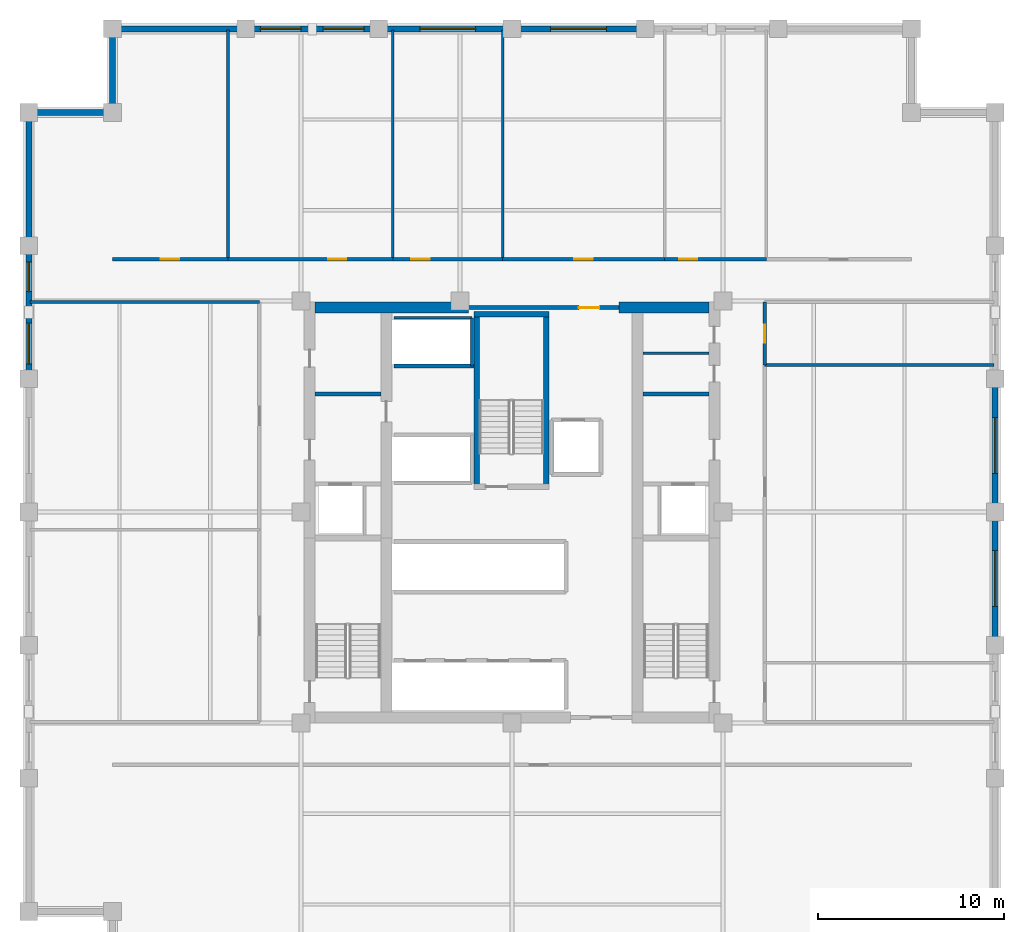
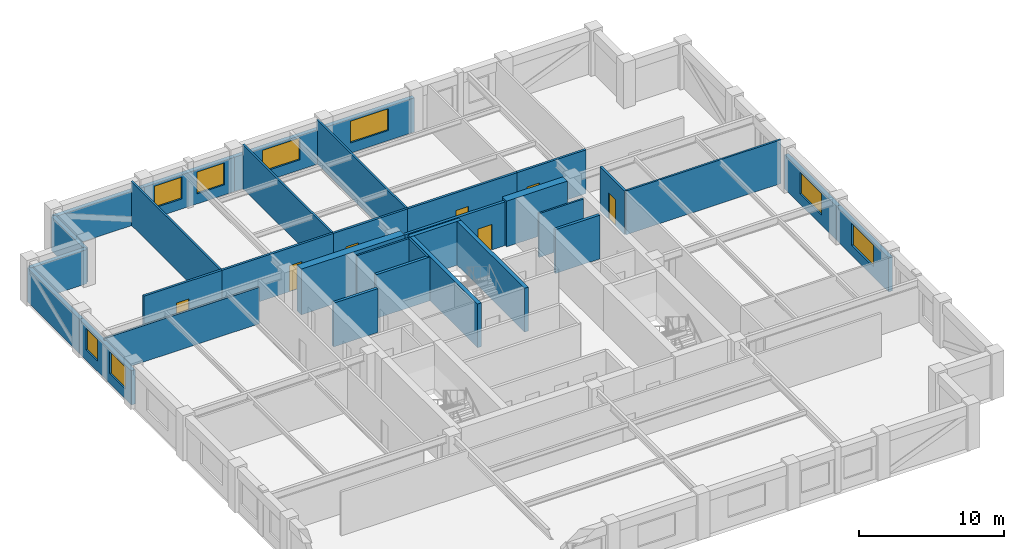
# One storey, part 4 of 6: 33 walls, 8 windows, 7 doors, 15 openings.
"""IFC4 building model written with IfcOpenShell, lengths in metres."""

from ifc_helpers import new_model, si_unit, direction, frame, frame_2d, origin, place, context, subcontext, project, spatial, rectangle, extrude, material, layer, layer_set, type_object, element, fill, save


model = new_model("IFC4")

# Units and contexts
model_context = context("Model", 3, precision=1e-05, world=origin(), true_north=direction((0.0, 1.0)))
body_context = subcontext(model_context, "Body", "Model", "MODEL_VIEW")
ifc_project = project(units=[si_unit("LENGTHUNIT", "METRE"), si_unit("AREAUNIT", "SQUARE_METRE"), si_unit("VOLUMEUNIT", "CUBIC_METRE"), si_unit("PLANEANGLEUNIT", "RADIAN"), si_unit("MASSUNIT", "GRAM", prefix="KILO")], contexts=[model_context])

# Site, building, storey
site_placement = place(None, origin())
site = spatial("IfcSite", under=ifc_project, at=site_placement, CompositionType="ELEMENT")
building_placement = place(site_placement, origin())
building = spatial("IfcBuilding", under=site, at=building_placement, Name="Nhamokura Convention Tower", CompositionType="ELEMENT")
storey_placement = place(building_placement, frame((0.0, 0.0, 114.449951171875)))
storey = spatial("IfcBuildingStorey", under=building, at=storey_placement, Name="L27", CompositionType="ELEMENT", Elevation=114.449951171875)

# Walls
ifc_material_1 = material(Name="Moisture-resistant tile-backer partition", Category="masonry")
ifc_layer_1 = layer(ifc_material_1, 0.139892578125)
ifc_layer_set_1 = layer_set([ifc_layer_1], Name="BathroomWetWall_140")
wall_type_1 = type_object("IfcWallType", Name="BathroomWetWall_140", PredefinedType="STANDARD", material=ifc_layer_set_1)
wall_1_placement = place(storey_placement, frame((39.06005859375, 40.550048828125, 0.0), z_axis=(0.0, 0.0, 1.0), x_axis=(1.0, 0.0, 0.0)))
element("IfcWall", 1, at=wall_1_placement, inside=storey, type_object=wall_type_1, Name="L27 Wall INT-L27-CWNE", PredefinedType="STANDARD", context=body_context, shape_type="SweptSolid", body=[
    extrude(rectangle(XDim=3.530029296875, YDim=0.139892578125, at=frame_2d((1.76513671875, 0.0))), origin(), (0.0, 0.0, 1.0), 3.68505859375),
])
ifc_material_2 = material(Name="Bronze-pigmented precast concrete C45/55", Category="concrete")
ifc_layer_2 = layer(ifc_material_2, 0.320068359375)
ifc_layer_set_2 = layer_set([ifc_layer_2], Name="BronzePrecastSpandrel_320")
wall_type_2 = type_object("IfcWallType", Name="BronzePrecastSpandrel_320", PredefinedType="USERDEFINED", material=ifc_layer_set_2)
wall_2_placement = place(storey_placement, frame((10.5, 58.0, 0.0), z_axis=(0.0, 0.0, 1.0), x_axis=(1.0, 0.0, 0.0)))
element("IfcWall", 2, at=wall_2_placement, inside=storey, type_object=wall_type_2, Name="L27 Braced-Bay Precast Wall NORTH 0", ObjectType="SPANDREL_WALL", PredefinedType="USERDEFINED", context=body_context, shape_type="SweptSolid", body=[
    extrude(rectangle(XDim=7.166748046875, YDim=0.320068359375, at=frame_2d((3.58349609375, 0.0))), origin(), (0.0, 0.0, 1.0), 2.885009765625),
])

# Wall, openings, windows
wall_3_placement = place(storey_placement, frame((17.666748046875, 58.0, 0.0), z_axis=(0.0, 0.0, 1.0), x_axis=(1.0, 0.0, 0.0)))
wall_3 = element("IfcWall", 3, at=wall_3_placement, inside=storey, type_object=wall_type_2, Name="L27 Masonry-Frame Wall NORTH 1", ObjectType="SPANDREL_WALL", PredefinedType="USERDEFINED", context=body_context, shape_type="SweptSolid", body=[
    extrude(rectangle(XDim=7.16650390625, YDim=0.320068359375, at=frame_2d((3.583251953125, 0.0))), origin(), (0.0, 0.0, 1.0), 2.885009765625),
])
opening_1_placement = place(wall_3_placement, frame((0.791748046875, 0.0, 0.85009765625)))
opening_1 = element("IfcOpeningElement", 4, at=opening_1_placement, cuts=wall_3, Name="Opening W-06", PredefinedType="OPENING", context=body_context, shape_type="SweptSolid", body=[
    extrude(rectangle(XDim=2.199951171875, YDim=1.8349609375, at=frame_2d((1.10009765625, 0.91748046875))), frame((0.0, 0.169921875, 0.0), z_axis=(0.0, -1.0, 0.0), x_axis=(1.0, 0.0, 0.0)), (0.0, 0.0, 1.0), 0.340087890625),
])
opening_2_placement = place(wall_3_placement, frame((4.175048828125, 0.0, 0.85009765625)))
opening_2 = element("IfcOpeningElement", 5, at=opening_2_placement, cuts=wall_3, Name="Opening W-06", PredefinedType="OPENING", context=body_context, shape_type="SweptSolid", body=[
    extrude(rectangle(XDim=2.199951171875, YDim=1.8349609375, at=frame_2d((1.10009765625, 0.91748046875))), frame((0.0, 0.169921875, 0.0), z_axis=(0.0, -1.0, 0.0), x_axis=(1.0, 0.0, 0.0)), (0.0, 0.0, 1.0), 0.340087890625),
])
ifc_material_3 = material(Name="Solar-control bronze low-E double glass", Category="glass")
window_type_1 = type_object("IfcWindowType", Name="OfficeModuleWindow_Z2_2200", PartitioningType="SINGLE_PANEL", PredefinedType="WINDOW", material=ifc_material_3)
window_1_placement = place(opening_1_placement, origin())
window_1 = element("IfcWindow", 6, at=window_1_placement, inside=storey, type_object=window_type_1, Name="L27 Facade Window NORTH 1-1", OverallHeight=1.8349609375, OverallWidth=2.199951171875, PartitioningType="SINGLE_PANEL", PredefinedType="WINDOW", context=body_context, shape_type="SweptSolid", body=[
    extrude(rectangle(XDim=2.199951171875, YDim=1.8349609375, at=frame_2d((1.10009765625, 0.91748046875))), frame((0.0, 0.030029296875, 0.0), z_axis=(0.0, -1.0, 0.0), x_axis=(1.0, 0.0, 0.0)), (0.0, 0.0, 1.0), 0.06005859375),
])
fill(opening_1, window_1)
window_2_placement = place(opening_2_placement, origin())
window_2 = element("IfcWindow", 7, at=window_2_placement, inside=storey, type_object=window_type_1, Name="L27 Facade Window NORTH 1-2", OverallHeight=1.8349609375, OverallWidth=2.199951171875, PartitioningType="SINGLE_PANEL", PredefinedType="WINDOW", context=body_context, shape_type="SweptSolid", body=[
    extrude(rectangle(XDim=2.199951171875, YDim=1.8349609375, at=frame_2d((1.10009765625, 0.91748046875))), frame((0.0, 0.030029296875, 0.0), z_axis=(0.0, -1.0, 0.0), x_axis=(1.0, 0.0, 0.0)), (0.0, 0.0, 1.0), 0.06005859375),
])
fill(opening_2, window_2)

# Wall, opening, window
wall_4_placement = place(storey_placement, frame((24.833251953125, 58.0, 0.0), z_axis=(0.0, 0.0, 1.0), x_axis=(1.0, 0.0, 0.0)))
wall_4 = element("IfcWall", 8, at=wall_4_placement, inside=storey, type_object=wall_type_2, Name="L27 Masonry-Frame Wall NORTH 2", ObjectType="SPANDREL_WALL", PredefinedType="USERDEFINED", context=body_context, shape_type="SweptSolid", body=[
    extrude(rectangle(XDim=7.166748046875, YDim=0.320068359375, at=frame_2d((3.58349609375, 0.0))), origin(), (0.0, 0.0, 1.0), 2.885009765625),
])
opening_3_placement = place(wall_4_placement, frame((2.208251953125, 0.0, 0.85009765625)))
opening_3 = element("IfcOpeningElement", 9, at=opening_3_placement, cuts=wall_4, Name="Opening W-05", PredefinedType="OPENING", context=body_context, shape_type="SweptSolid", body=[
    extrude(rectangle(XDim=3.0, YDim=1.8349609375, at=frame_2d((1.5, 0.91748046875))), frame((0.0, 0.169921875, 0.0), z_axis=(0.0, -1.0, 0.0), x_axis=(1.0, 0.0, 0.0)), (0.0, 0.0, 1.0), 0.340087890625),
])
ifc_material_4 = material(Name="Solar-control bronze low-E double glass", Category="glass")
window_type_2 = type_object("IfcWindowType", Name="OfficeModuleWindow_Z2_3000", PartitioningType="DOUBLE_PANEL_VERTICAL", PredefinedType="WINDOW", material=ifc_material_4)
window_3_placement = place(opening_3_placement, origin())
window_3 = element("IfcWindow", 10, at=window_3_placement, inside=storey, type_object=window_type_2, Name="L27 Facade Window NORTH 2", OverallHeight=1.8349609375, OverallWidth=3.0, PartitioningType="SINGLE_PANEL", PredefinedType="WINDOW", context=body_context, shape_type="SweptSolid", body=[
    extrude(rectangle(XDim=3.0, YDim=1.8349609375, at=frame_2d((1.5, 0.91748046875))), frame((0.0, 0.030029296875, 0.0), z_axis=(0.0, -1.0, 0.0), x_axis=(1.0, 0.0, 0.0)), (0.0, 0.0, 1.0), 0.06005859375),
])
fill(opening_3, window_3)

wall_5_placement = place(storey_placement, frame((32.0, 58.0, 0.0), z_axis=(0.0, 0.0, 1.0), x_axis=(1.0, 0.0, 0.0)))
wall_5 = element("IfcWall", 11, at=wall_5_placement, inside=storey, type_object=wall_type_2, Name="L27 Masonry-Frame Wall NORTH 3", ObjectType="SPANDREL_WALL", PredefinedType="USERDEFINED", context=body_context, shape_type="SweptSolid", body=[
    extrude(rectangle(XDim=7.166748046875, YDim=0.320068359375, at=frame_2d((3.58349609375, 0.0))), origin(), (0.0, 0.0, 1.0), 2.885009765625),
])
opening_4_placement = place(wall_5_placement, frame((2.083251953125, 0.0, 0.85009765625)))
opening_4 = element("IfcOpeningElement", 12, at=opening_4_placement, cuts=wall_5, Name="Opening W-05", PredefinedType="OPENING", context=body_context, shape_type="SweptSolid", body=[
    extrude(rectangle(XDim=3.0, YDim=1.8349609375, at=frame_2d((1.5, 0.91748046875))), frame((0.0, 0.169921875, 0.0), z_axis=(0.0, -1.0, 0.0), x_axis=(1.0, 0.0, 0.0)), (0.0, 0.0, 1.0), 0.340087890625),
])
window_4_placement = place(opening_4_placement, origin())
window_4 = element("IfcWindow", 13, at=window_4_placement, inside=storey, type_object=window_type_2, Name="L27 Facade Window NORTH 3", OverallHeight=1.8349609375, OverallWidth=3.0, PartitioningType="SINGLE_PANEL", PredefinedType="WINDOW", context=body_context, shape_type="SweptSolid", body=[
    extrude(rectangle(XDim=3.0, YDim=1.8349609375, at=frame_2d((1.5, 0.91748046875))), frame((0.0, 0.030029296875, 0.0), z_axis=(0.0, -1.0, 0.0), x_axis=(1.0, 0.0, 0.0)), (0.0, 0.0, 1.0), 0.06005859375),
])
fill(opening_4, window_4)

# Wall, openings, windows
wall_6_placement = place(storey_placement, frame((6.0, 39.166748046875, 0.0), z_axis=(0.0, 0.0, 1.0), x_axis=(0.0, 1.0, 0.0)))
wall_6 = element("IfcWall", 14, at=wall_6_placement, inside=storey, type_object=wall_type_2, Name="L27 Masonry-Frame Wall WEST 4", ObjectType="SPANDREL_WALL", PredefinedType="USERDEFINED", context=body_context, shape_type="SweptSolid", body=[
    extrude(rectangle(XDim=7.16650390625, YDim=0.320068359375, at=frame_2d((3.583251953125, 0.0))), origin(), (0.0, 0.0, 1.0), 2.885009765625),
])
opening_5_placement = place(wall_6_placement, frame((0.791748046875, 0.0, 0.85009765625)))
opening_5 = element("IfcOpeningElement", 15, at=opening_5_placement, cuts=wall_6, Name="Opening W-06", PredefinedType="OPENING", context=body_context, shape_type="SweptSolid", body=[
    extrude(rectangle(XDim=2.199951171875, YDim=1.8349609375, at=frame_2d((1.10009765625, 0.91748046875))), frame((0.0, 0.169921875, 0.0), z_axis=(0.0, -1.0, 0.0), x_axis=(1.0, 0.0, 0.0)), (0.0, 0.0, 1.0), 0.340087890625),
])
opening_6_placement = place(wall_6_placement, frame((4.6875, 0.0, 0.85009765625)))
opening_6 = element("IfcOpeningElement", 16, at=opening_6_placement, cuts=wall_6, Name="Opening W-11", PredefinedType="OPENING", context=body_context, shape_type="SweptSolid", body=[
    extrude(rectangle(XDim=1.60009765625, YDim=1.8349609375, at=frame_2d((0.800048828125, 0.91748046875))), frame((0.0, 0.169921875, 0.0), z_axis=(0.0, -1.0, 0.0), x_axis=(1.0, 0.0, 0.0)), (0.0, 0.0, 1.0), 0.340087890625),
])
ifc_material_5 = material(Name="Solar-control bronze low-E double glass", Category="glass")
window_type_3 = type_object("IfcWindowType", Name="NotchCornerWindow_1600", PartitioningType="SINGLE_PANEL", PredefinedType="WINDOW", material=ifc_material_5)
window_5_placement = place(opening_6_placement, origin())
window_5 = element("IfcWindow", 17, at=window_5_placement, inside=storey, type_object=window_type_3, Name="L27 Facade Window WEST 4-2", OverallHeight=1.8349609375, OverallWidth=1.60009765625, PartitioningType="SINGLE_PANEL", PredefinedType="WINDOW", context=body_context, shape_type="SweptSolid", body=[
    extrude(rectangle(XDim=1.60009765625, YDim=1.8349609375, at=frame_2d((0.800048828125, 0.91748046875))), frame((0.0, 0.030029296875, 0.0), z_axis=(0.0, -1.0, 0.0), x_axis=(1.0, 0.0, 0.0)), (0.0, 0.0, 1.0), 0.06005859375),
])
fill(opening_6, window_5)
window_6_placement = place(opening_5_placement, origin())
window_6 = element("IfcWindow", 18, at=window_6_placement, inside=storey, type_object=window_type_1, Name="L27 Facade Window WEST 4-1", OverallHeight=1.8349609375, OverallWidth=2.199951171875, PartitioningType="SINGLE_PANEL", PredefinedType="WINDOW", context=body_context, shape_type="SweptSolid", body=[
    extrude(rectangle(XDim=2.199951171875, YDim=1.8349609375, at=frame_2d((1.10009765625, 0.91748046875))), frame((0.0, 0.030029296875, 0.0), z_axis=(0.0, -1.0, 0.0), x_axis=(1.0, 0.0, 0.0)), (0.0, 0.0, 1.0), 0.06005859375),
])
fill(opening_5, window_6)

# Wall
wall_7_placement = place(storey_placement, frame((6.0, 46.333251953125, 0.0), z_axis=(0.0, 0.0, 1.0), x_axis=(0.0, 1.0, 0.0)))
element("IfcWall", 19, at=wall_7_placement, inside=storey, type_object=wall_type_2, Name="L27 Braced-Bay Precast Wall WEST 5", ObjectType="SPANDREL_WALL", PredefinedType="USERDEFINED", context=body_context, shape_type="SweptSolid", body=[
    extrude(rectangle(XDim=7.166748046875, YDim=0.320068359375, at=frame_2d((3.58349609375, 0.0))), origin(), (0.0, 0.0, 1.0), 2.885009765625),
])

# Wall, opening, window
wall_8_placement = place(storey_placement, frame((58.0, 32.0, 0.0), z_axis=(0.0, 0.0, 1.0), x_axis=(0.0, -1.0, 0.0)))
wall_8 = element("IfcWall", 20, at=wall_8_placement, inside=storey, type_object=wall_type_2, Name="L27 Masonry-Frame Wall EAST 2", ObjectType="SPANDREL_WALL", PredefinedType="USERDEFINED", context=body_context, shape_type="SweptSolid", body=[
    extrude(rectangle(XDim=7.166748046875, YDim=0.320068359375, at=frame_2d((3.58349609375, 0.0))), origin(), (0.0, 0.0, 1.0), 2.885009765625),
])
opening_7_placement = place(wall_8_placement, frame((2.083251953125, 0.0, 0.85009765625)))
opening_7 = element("IfcOpeningElement", 21, at=opening_7_placement, cuts=wall_8, Name="Opening W-05", PredefinedType="OPENING", context=body_context, shape_type="SweptSolid", body=[
    extrude(rectangle(XDim=3.0, YDim=1.8349609375, at=frame_2d((1.5, 0.91748046875))), frame((0.0, 0.169921875, 0.0), z_axis=(0.0, -1.0, 0.0), x_axis=(1.0, 0.0, 0.0)), (0.0, 0.0, 1.0), 0.340087890625),
])
window_7_placement = place(opening_7_placement, origin())
window_7 = element("IfcWindow", 22, at=window_7_placement, inside=storey, type_object=window_type_2, Name="L27 Facade Window EAST 2", OverallHeight=1.8349609375, OverallWidth=3.0, PartitioningType="SINGLE_PANEL", PredefinedType="WINDOW", context=body_context, shape_type="SweptSolid", body=[
    extrude(rectangle(XDim=3.0, YDim=1.8349609375, at=frame_2d((1.5, 0.91748046875))), frame((0.0, 0.030029296875, 0.0), z_axis=(0.0, -1.0, 0.0), x_axis=(1.0, 0.0, 0.0)), (0.0, 0.0, 1.0), 0.06005859375),
])
fill(opening_7, window_7)

wall_9_placement = place(storey_placement, frame((58.0, 39.166748046875, 0.0), z_axis=(0.0, 0.0, 1.0), x_axis=(0.0, -1.0, 0.0)))
wall_9 = element("IfcWall", 23, at=wall_9_placement, inside=storey, type_object=wall_type_2, Name="L27 Masonry-Frame Wall EAST 3", ObjectType="SPANDREL_WALL", PredefinedType="USERDEFINED", context=body_context, shape_type="SweptSolid", body=[
    extrude(rectangle(XDim=7.166748046875, YDim=0.320068359375, at=frame_2d((3.58349609375, 0.0))), origin(), (0.0, 0.0, 1.0), 2.885009765625),
])
opening_8_placement = place(wall_9_placement, frame((2.083251953125, 0.0, 0.85009765625)))
opening_8 = element("IfcOpeningElement", 24, at=opening_8_placement, cuts=wall_9, Name="Opening W-05", PredefinedType="OPENING", context=body_context, shape_type="SweptSolid", body=[
    extrude(rectangle(XDim=3.0, YDim=1.8349609375, at=frame_2d((1.5, 0.91748046875))), frame((0.0, 0.169921875, 0.0), z_axis=(0.0, -1.0, 0.0), x_axis=(1.0, 0.0, 0.0)), (0.0, 0.0, 1.0), 0.340087890625),
])
window_8_placement = place(opening_8_placement, origin())
window_8 = element("IfcWindow", 25, at=window_8_placement, inside=storey, type_object=window_type_2, Name="L27 Facade Window EAST 3", OverallHeight=1.8349609375, OverallWidth=3.0, PartitioningType="SINGLE_PANEL", PredefinedType="WINDOW", context=body_context, shape_type="SweptSolid", body=[
    extrude(rectangle(XDim=3.0, YDim=1.8349609375, at=frame_2d((1.5, 0.91748046875))), frame((0.0, 0.030029296875, 0.0), z_axis=(0.0, -1.0, 0.0), x_axis=(1.0, 0.0, 0.0)), (0.0, 0.0, 1.0), 0.06005859375),
])
fill(opening_8, window_8)

# Walls
for number, where, z_axis, x_axis, name in (
    (26, (10.5, 53.5, 0.0), (0.0, 0.0, 1.0), (0.0, 1.0, 0.0), "L27 Notched Corner Wall NW1"),
    (27, (6.0, 53.5, 0.0), (0.0, 0.0, 1.0), (1.0, 0.0, 0.0), "L27 Notched Corner Wall NW2"),
):
    element("IfcWall", number, at=place(storey_placement, frame(where, z_axis=z_axis, x_axis=x_axis)), inside=storey, type_object=wall_type_2, Name=name, ObjectType="SPANDREL_WALL", PredefinedType="USERDEFINED", context=body_context, shape_type="SweptSolid", body=[
        extrude(rectangle(XDim=4.5, YDim=0.320068359375, at=frame_2d((2.25, 0.0))), origin(), (0.0, 0.0, 1.0), 2.885009765625),
    ])
ifc_material_6 = material(Name="Concrete C60/75", Category="concrete")
ifc_layer_3 = layer(ifc_material_6, 0.60009765625)
ifc_layer_set_3 = layer_set([ifc_layer_3], Name="CoreShearWall_600")
wall_type_3 = type_object("IfcWallType", Name="CoreShearWall_600", PredefinedType="SHEAR", material=ifc_layer_set_3)
wall_10_placement = place(storey_placement, frame((21.409912109375, 43.0, 0.0), z_axis=(0.0, 0.0, 1.0), x_axis=(1.0, 0.0, 0.0)))
element("IfcWall", 28, at=wall_10_placement, inside=storey, type_object=wall_type_3, Name="L27 Core Shear Wall CW-N1", PredefinedType="SHEAR", context=body_context, shape_type="SweptSolid", body=[
    extrude(rectangle(XDim=8.239990234375, YDim=0.60009765625, at=frame_2d((4.1201171875, 0.0))), origin(), (0.0, 0.0, 1.0), 3.85009765625),
])
wall_11_placement = place(storey_placement, frame((37.75, 43.0, 0.0), z_axis=(0.0, 0.0, 1.0), x_axis=(1.0, 0.0, 0.0)))
element("IfcWall", 29, at=wall_11_placement, inside=storey, type_object=wall_type_3, Name="L27 Core Shear Wall CW-N2", PredefinedType="SHEAR", context=body_context, shape_type="SweptSolid", body=[
    extrude(rectangle(XDim=4.840087890625, YDim=0.60009765625, at=frame_2d((2.419921875, 0.0))), origin(), (0.0, 0.0, 1.0), 3.85009765625),
])

# Wall, opening, door
ifc_material_7 = material(Name="Fire-rated gypsum and masonry partition", Category="masonry")
ifc_layer_4 = layer(ifc_material_7, 0.179931640625)
ifc_layer_set_4 = layer_set([ifc_layer_4], Name="CorridorRatedWall_180")
wall_type_4 = type_object("IfcWallType", Name="CorridorRatedWall_180", PredefinedType="STANDARD", material=ifc_layer_set_4)
wall_12_placement = place(storey_placement, frame((10.5, 45.60009765625, 0.0), z_axis=(0.0, 0.0, 1.0), x_axis=(1.0, 0.0, 0.0)))
wall_12 = element("IfcWall", 30, at=wall_12_placement, inside=storey, type_object=wall_type_4, Name="L27 Wall INT-L27-CW-N00", PredefinedType="STANDARD", context=body_context, shape_type="SweptSolid", body=[
    extrude(rectangle(XDim=6.216796875, YDim=0.179931640625, at=frame_2d((3.1083984375, 0.0))), origin(), (0.0, 0.0, 1.0), 3.68505859375),
])
opening_9_placement = place(wall_12_placement, frame((2.6083984375, 0.0, 0.0)))
opening_9 = element("IfcOpeningElement", 31, at=opening_9_placement, cuts=wall_12, Name="Opening D-08", PredefinedType="OPENING", context=body_context, shape_type="SweptSolid", body=[
    extrude(rectangle(XDim=0.97998046875, YDim=2.199951171875, at=frame_2d((0.489990234375, 1.10009765625))), frame((0.0, 0.099853515625, 0.0), z_axis=(0.0, -1.0, 0.0), x_axis=(1.0, 0.0, 0.0)), (0.0, 0.0, 1.0), 0.199951171875),
])
ifc_material_8 = material(Name="Solid oak hardwood", Category="wood")
door_type_1 = type_object("IfcDoorType", Name="OfficeEntryDoor_980", OperationType="NOTDEFINED", PredefinedType="DOOR", material=ifc_material_8)
door_1_placement = place(opening_9_placement, origin())
door_1 = element("IfcDoor", 32, at=door_1_placement, inside=storey, type_object=door_type_1, Name="L27 Private Office N01 Door", OperationType="SINGLE_SWING_LEFT", OverallHeight=2.199951171875, OverallWidth=0.97998046875, PredefinedType="DOOR", context=body_context, shape_type="SweptSolid", body=[
    extrude(rectangle(XDim=0.97998046875, YDim=2.199951171875, at=frame_2d((0.489990234375, 1.10009765625))), frame((0.0, 0.02490234375, 0.0), z_axis=(0.0, -1.0, 0.0), x_axis=(1.0, 0.0, 0.0)), (0.0, 0.0, 1.0), 0.050048828125),
])
fill(opening_9, door_1)

wall_13_placement = place(storey_placement, frame((16.716796875, 45.60009765625, 0.0), z_axis=(0.0, 0.0, 1.0), x_axis=(1.0, 0.0, 0.0)))
wall_13 = element("IfcWall", 33, at=wall_13_placement, inside=storey, type_object=wall_type_4, Name="L27 Wall INT-L27-CW-N01", PredefinedType="STANDARD", context=body_context, shape_type="SweptSolid", body=[
    extrude(rectangle(XDim=8.866455078125, YDim=0.179931640625, at=frame_2d((4.43310546875, 0.0))), origin(), (0.0, 0.0, 1.0), 3.68505859375),
])
opening_10_placement = place(wall_13_placement, frame((5.38330078125, 0.0, 0.0)))
opening_10 = element("IfcOpeningElement", 34, at=opening_10_placement, cuts=wall_13, Name="Opening D-08", PredefinedType="OPENING", context=body_context, shape_type="SweptSolid", body=[
    extrude(rectangle(XDim=0.97998046875, YDim=2.199951171875, at=frame_2d((0.489990234375, 1.10009765625))), frame((0.0, 0.099853515625, 0.0), z_axis=(0.0, -1.0, 0.0), x_axis=(1.0, 0.0, 0.0)), (0.0, 0.0, 1.0), 0.199951171875),
])
door_2_placement = place(opening_10_placement, origin())
door_2 = element("IfcDoor", 35, at=door_2_placement, inside=storey, type_object=door_type_1, Name="L27 Private Office N02 Door", OperationType="SINGLE_SWING_RIGHT", OverallHeight=2.199951171875, OverallWidth=0.97998046875, PredefinedType="DOOR", context=body_context, shape_type="SweptSolid", body=[
    extrude(rectangle(XDim=0.97998046875, YDim=2.199951171875, at=frame_2d((0.489990234375, 1.10009765625))), frame((0.0, 0.02490234375, 0.0), z_axis=(0.0, -1.0, 0.0), x_axis=(1.0, 0.0, 0.0)), (0.0, 0.0, 1.0), 0.050048828125),
])
fill(opening_10, door_2)

wall_14_placement = place(storey_placement, frame((25.583251953125, 45.60009765625, 0.0), z_axis=(0.0, 0.0, 1.0), x_axis=(1.0, 0.0, 0.0)))
wall_14 = element("IfcWall", 36, at=wall_14_placement, inside=storey, type_object=wall_type_4, Name="L27 Wall INT-L27-CW-N02", PredefinedType="STANDARD", context=body_context, shape_type="SweptSolid", body=[
    extrude(rectangle(XDim=5.916748046875, YDim=0.179931640625, at=frame_2d((2.95849609375, 0.0))), origin(), (0.0, 0.0, 1.0), 3.68505859375),
])
opening_11_placement = place(wall_14_placement, frame((1.00830078125, 0.0, 0.0)))
opening_11 = element("IfcOpeningElement", 37, at=opening_11_placement, cuts=wall_14, Name="Opening D-08", PredefinedType="OPENING", context=body_context, shape_type="SweptSolid", body=[
    extrude(rectangle(XDim=0.97998046875, YDim=2.199951171875, at=frame_2d((0.489990234375, 1.10009765625))), frame((0.0, 0.099853515625, 0.0), z_axis=(0.0, -1.0, 0.0), x_axis=(1.0, 0.0, 0.0)), (0.0, 0.0, 1.0), 0.199951171875),
])
door_3_placement = place(opening_11_placement, origin())
door_3 = element("IfcDoor", 38, at=door_3_placement, inside=storey, type_object=door_type_1, Name="L27 Meeting Room N03 Door", OperationType="SINGLE_SWING_LEFT", OverallHeight=2.199951171875, OverallWidth=0.97998046875, PredefinedType="DOOR", context=body_context, shape_type="SweptSolid", body=[
    extrude(rectangle(XDim=0.97998046875, YDim=2.199951171875, at=frame_2d((0.489990234375, 1.10009765625))), frame((0.0, 0.02490234375, 0.0), z_axis=(0.0, -1.0, 0.0), x_axis=(1.0, 0.0, 0.0)), (0.0, 0.0, 1.0), 0.050048828125),
])
fill(opening_11, door_3)

wall_15_placement = place(storey_placement, frame((31.5, 45.60009765625, 0.0), z_axis=(0.0, 0.0, 1.0), x_axis=(1.0, 0.0, 0.0)))
wall_15 = element("IfcWall", 39, at=wall_15_placement, inside=storey, type_object=wall_type_4, Name="L27 Wall INT-L27-CW-N03", PredefinedType="STANDARD", context=body_context, shape_type="SweptSolid", body=[
    extrude(rectangle(XDim=8.716796875, YDim=0.179931640625, at=frame_2d((4.3583984375, 0.0))), origin(), (0.0, 0.0, 1.0), 3.68505859375),
])
opening_12_placement = place(wall_15_placement, frame((3.8583984375, 0.0, 0.0)))
opening_12 = element("IfcOpeningElement", 40, at=opening_12_placement, cuts=wall_15, Name="Opening D-08", PredefinedType="OPENING", context=body_context, shape_type="SweptSolid", body=[
    extrude(rectangle(XDim=0.97998046875, YDim=2.199951171875, at=frame_2d((0.489990234375, 1.10009765625))), frame((0.0, 0.099853515625, 0.0), z_axis=(0.0, -1.0, 0.0), x_axis=(1.0, 0.0, 0.0)), (0.0, 0.0, 1.0), 0.199951171875),
])
door_4_placement = place(opening_12_placement, origin())
door_4 = element("IfcDoor", 41, at=door_4_placement, inside=storey, type_object=door_type_1, Name="L27 Private Office N04 Door", OperationType="SINGLE_SWING_RIGHT", OverallHeight=2.199951171875, OverallWidth=0.97998046875, PredefinedType="DOOR", context=body_context, shape_type="SweptSolid", body=[
    extrude(rectangle(XDim=0.97998046875, YDim=2.199951171875, at=frame_2d((0.489990234375, 1.10009765625))), frame((0.0, 0.02490234375, 0.0), z_axis=(0.0, -1.0, 0.0), x_axis=(1.0, 0.0, 0.0)), (0.0, 0.0, 1.0), 0.050048828125),
])
fill(opening_12, door_4)

wall_16_placement = place(storey_placement, frame((40.216796875, 45.60009765625, 0.0), z_axis=(0.0, 0.0, 1.0), x_axis=(1.0, 0.0, 0.0)))
wall_16 = element("IfcWall", 42, at=wall_16_placement, inside=storey, type_object=wall_type_4, Name="L27 Wall INT-L27-CW-N04", PredefinedType="STANDARD", context=body_context, shape_type="SweptSolid", body=[
    extrude(rectangle(XDim=5.466552734375, YDim=0.179931640625, at=frame_2d((2.7333984375, 0.0))), origin(), (0.0, 0.0, 1.0), 3.68505859375),
])
opening_13_placement = place(wall_16_placement, frame((0.783203125, 0.0, 0.0)))
opening_13 = element("IfcOpeningElement", 43, at=opening_13_placement, cuts=wall_16, Name="Opening D-08", PredefinedType="OPENING", context=body_context, shape_type="SweptSolid", body=[
    extrude(rectangle(XDim=0.97998046875, YDim=2.199951171875, at=frame_2d((0.489990234375, 1.10009765625))), frame((0.0, 0.099853515625, 0.0), z_axis=(0.0, -1.0, 0.0), x_axis=(1.0, 0.0, 0.0)), (0.0, 0.0, 1.0), 0.199951171875),
])
door_5_placement = place(opening_13_placement, origin())
door_5 = element("IfcDoor", 44, at=door_5_placement, inside=storey, type_object=door_type_1, Name="L27 Private Office N05 Door", OperationType="SINGLE_SWING_LEFT", OverallHeight=2.199951171875, OverallWidth=0.97998046875, PredefinedType="DOOR", context=body_context, shape_type="SweptSolid", body=[
    extrude(rectangle(XDim=0.97998046875, YDim=2.199951171875, at=frame_2d((0.489990234375, 1.10009765625))), frame((0.0, 0.02490234375, 0.0), z_axis=(0.0, -1.0, 0.0), x_axis=(1.0, 0.0, 0.0)), (0.0, 0.0, 1.0), 0.050048828125),
])
fill(opening_13, door_5)

wall_17_placement = place(storey_placement, frame((45.60009765625, 39.916748046875, 0.0), z_axis=(0.0, 0.0, 1.0), x_axis=(0.0, 1.0, 0.0)))
wall_17 = element("IfcWall", 45, at=wall_17_placement, inside=storey, type_object=wall_type_4, Name="L27 Wall INT-L27-CW-E02", PredefinedType="STANDARD", context=body_context, shape_type="SweptSolid", body=[
    extrude(rectangle(XDim=3.38330078125, YDim=0.179931640625, at=frame_2d((1.691650390625, 0.0))), origin(), (0.0, 0.0, 1.0), 3.68505859375),
])
opening_14_placement = place(wall_17_placement, frame((1.191650390625, 0.0, 0.0)))
opening_14 = element("IfcOpeningElement", 46, at=opening_14_placement, cuts=wall_17, Name="Opening D-08", PredefinedType="OPENING", context=body_context, shape_type="SweptSolid", body=[
    extrude(rectangle(XDim=0.97998046875, YDim=2.199951171875, at=frame_2d((0.489990234375, 1.10009765625))), frame((0.0, 0.099853515625, 0.0), z_axis=(0.0, -1.0, 0.0), x_axis=(1.0, 0.0, 0.0)), (0.0, 0.0, 1.0), 0.199951171875),
])
door_6_placement = place(opening_14_placement, origin())
door_6 = element("IfcDoor", 47, at=door_6_placement, inside=storey, type_object=door_type_1, Name="L27 Collaboration Lounge E03 Door", OperationType="SINGLE_SWING_LEFT", OverallHeight=2.199951171875, OverallWidth=0.97998046875, PredefinedType="DOOR", context=body_context, shape_type="SweptSolid", body=[
    extrude(rectangle(XDim=0.97998046875, YDim=2.199951171875, at=frame_2d((0.489990234375, 1.10009765625))), frame((0.0, 0.02490234375, 0.0), z_axis=(0.0, -1.0, 0.0), x_axis=(1.0, 0.0, 0.0)), (0.0, 0.0, 1.0), 0.050048828125),
])
fill(opening_14, door_6)

# Walls
ifc_material_9 = material(Name="Autoclaved concrete blockwork", Category="masonry")
ifc_layer_5 = layer(ifc_material_9, 0.219970703125)
ifc_layer_set_5 = layer_set([ifc_layer_5], Name="FireLobbyWall_220")
wall_type_5 = type_object("IfcWallType", Name="FireLobbyWall_220", PredefinedType="STANDARD", material=ifc_layer_set_5)
for number, where, z_axis, x_axis, name in (
    (48, (21.409912109375, 38.35009765625, 0.0), (0.0, 0.0, 1.0), (1.0, 0.0, 0.0), "L27 Wall INT-L27-FFW-N"),
    (49, (39.06005859375, 38.35009765625, 0.0), (0.0, 0.0, 1.0), (1.0, 0.0, 0.0), "L27 Wall INT-L27-FFE-N"),
):
    element("IfcWall", number, at=place(storey_placement, frame(where, z_axis=z_axis, x_axis=x_axis)), inside=storey, type_object=wall_type_5, Name=name, PredefinedType="STANDARD", context=body_context, shape_type="SweptSolid", body=[
        extrude(rectangle(XDim=3.530029296875, YDim=0.219970703125, at=frame_2d((1.76513671875, 0.0))), origin(), (0.0, 0.0, 1.0), 3.68505859375),
    ])
wall_18_placement = place(storey_placement, frame((25.64990234375, 39.85009765625, 0.0), z_axis=(0.0, 0.0, 1.0), x_axis=(1.0, 0.0, 0.0)))
element("IfcWall", 50, at=wall_18_placement, inside=storey, type_object=wall_type_5, Name="L27 Wall INT-L27-B3N", PredefinedType="STANDARD", context=body_context, shape_type="SweptSolid", body=[
    extrude(rectangle(XDim=4.300048828125, YDim=0.219970703125, at=frame_2d((2.14990234375, 0.0))), origin(), (0.0, 0.0, 1.0), 3.68505859375),
])

# Wall, opening, door
wall_19_placement = place(storey_placement, frame((29.64990234375, 43.0, 0.0), z_axis=(0.0, 0.0, 1.0), x_axis=(1.0, 0.0, 0.0)))
wall_19 = element("IfcWall", 51, at=wall_19_placement, inside=storey, type_object=wall_type_5, Name="L27 Wall INT-L27-CPORT-N", PredefinedType="STANDARD", context=body_context, shape_type="SweptSolid", body=[
    extrude(rectangle(XDim=8.10009765625, YDim=0.219970703125, at=frame_2d((4.050048828125, 0.0))), origin(), (0.0, 0.0, 1.0), 3.68505859375),
])
opening_15_placement = place(wall_19_placement, frame((5.949951171875, 0.0, 0.0)))
opening_15 = element("IfcOpeningElement", 52, at=opening_15_placement, cuts=wall_19, Name="Opening D-05", PredefinedType="OPENING", context=body_context, shape_type="SweptSolid", body=[
    extrude(rectangle(XDim=1.10009765625, YDim=2.14990234375, at=frame_2d((0.550048828125, 1.074951171875))), frame((0.0, 0.119873046875, 0.0), z_axis=(0.0, -1.0, 0.0), x_axis=(1.0, 0.0, 0.0)), (0.0, 0.0, 1.0), 0.239990234375),
])
ifc_material_10 = material(Name="Fire-rated steel door", Category="steel")
door_type_2 = type_object("IfcDoorType", Name="FireLobbyDoor_1100", OperationType="NOTDEFINED", PredefinedType="DOOR", material=ifc_material_10)
door_7_placement = place(opening_15_placement, origin())
door_7 = element("IfcDoor", 53, at=door_7_placement, inside=storey, type_object=door_type_2, Name="L27 North Core Lobby Portal Door", OperationType="SINGLE_SWING_RIGHT", OverallHeight=2.14990234375, OverallWidth=1.10009765625, PredefinedType="DOOR", context=body_context, shape_type="SweptSolid", body=[
    extrude(rectangle(XDim=1.10009765625, YDim=2.14990234375, at=frame_2d((0.550048828125, 1.074951171875))), frame((0.0, 0.02490234375, 0.0), z_axis=(0.0, -1.0, 0.0), x_axis=(1.0, 0.0, 0.0)), (0.0, 0.0, 1.0), 0.050048828125),
])
fill(opening_15, door_7)

# Walls
ifc_material_11 = material(Name="Acoustic gypsum stud partition", Category="masonry")
ifc_layer_6 = layer(ifc_material_11, 0.14990234375)
ifc_layer_set_6 = layer_set([ifc_layer_6], Name="InteriorPartition_150")
wall_type_6 = type_object("IfcWallType", Name="InteriorPartition_150", PredefinedType="STANDARD", material=ifc_layer_set_6)
wall_20_placement = place(storey_placement, frame((25.64990234375, 42.449951171875, 0.0), z_axis=(0.0, 0.0, 1.0), x_axis=(1.0, 0.0, 0.0)))
element("IfcWall", 54, at=wall_20_placement, inside=storey, type_object=wall_type_6, Name="L27 Wall INT-L27-B3B-N", PredefinedType="STANDARD", context=body_context, shape_type="SweptSolid", body=[
    extrude(rectangle(XDim=4.2001953125, YDim=0.14990234375, at=frame_2d((2.10009765625, 0.0))), origin(), (0.0, 0.0, 1.0), 3.68505859375),
])
wall_21_placement = place(storey_placement, frame((29.85009765625, 39.85009765625, 0.0), z_axis=(0.0, 0.0, 1.0), x_axis=(0.0, 1.0, 0.0)))
element("IfcWall", 55, at=wall_21_placement, inside=storey, type_object=wall_type_6, Name="L27 Wall INT-L27-B3B-E", PredefinedType="STANDARD", context=body_context, shape_type="SweptSolid", body=[
    extrude(rectangle(XDim=2.599853515625, YDim=0.14990234375, at=frame_2d((1.2998046875, 0.0))), origin(), (0.0, 0.0, 1.0), 3.68505859375),
])
for number, where, z_axis, x_axis, name in (
    (56, (16.716796875, 45.60009765625, 0.0), (0.0, 0.0, 1.0), (0.0, 1.0, 0.0), "L27 Wall INT-L27-RW-N01"),
    (57, (25.583251953125, 45.60009765625, 0.0), (0.0, 0.0, 1.0), (0.0, 1.0, 0.0), "L27 Wall INT-L27-RW-N02"),
    (58, (31.5, 45.60009765625, 0.0), (0.0, 0.0, 1.0), (0.0, 1.0, 0.0), "L27 Wall INT-L27-RW-N03"),
):
    element("IfcWall", number, at=place(storey_placement, frame(where, z_axis=z_axis, x_axis=x_axis)), inside=storey, type_object=wall_type_6, Name=name, PredefinedType="STANDARD", context=body_context, shape_type="SweptSolid", body=[
        extrude(rectangle(XDim=12.33984375, YDim=0.14990234375, at=frame_2d((6.169921875, 0.0))), origin(), (0.0, 0.0, 1.0), 3.68505859375),
    ])
wall_22_placement = place(storey_placement, frame((6.06005859375, 43.300048828125, 0.0), z_axis=(0.0, 0.0, 1.0), x_axis=(1.0, 0.0, 0.0)))
element("IfcWall", 59, at=wall_22_placement, inside=storey, type_object=wall_type_6, Name="L27 Wall INT-L27-RWT-W", PredefinedType="STANDARD", context=body_context, shape_type="SweptSolid", body=[
    extrude(rectangle(XDim=12.33984375, YDim=0.14990234375, at=frame_2d((6.169921875, 0.0))), origin(), (0.0, 0.0, 1.0), 3.06494140625),
])
wall_23_placement = place(storey_placement, frame((45.60009765625, 39.916748046875, 0.0), z_axis=(0.0, 0.0, 1.0), x_axis=(1.0, 0.0, 0.0)))
element("IfcWall", 60, at=wall_23_placement, inside=storey, type_object=wall_type_6, Name="L27 Wall INT-L27-RW-E02", PredefinedType="STANDARD", context=body_context, shape_type="SweptSolid", body=[
    extrude(rectangle(XDim=12.33984375, YDim=0.14990234375, at=frame_2d((6.169921875, 0.0))), origin(), (0.0, 0.0, 1.0), 3.68505859375),
])
ifc_material_12 = material(Name="Concrete C50/60", Category="concrete")
ifc_layer_7 = layer(ifc_material_12, 0.300048828125)
ifc_layer_set_7 = layer_set([ifc_layer_7], Name="ShaftEnclosureWall_300")
wall_type_7 = type_object("IfcWallType", Name="ShaftEnclosureWall_300", PredefinedType="SHEAR", material=ifc_layer_set_7)
for number, where, z_axis, x_axis, name in (
    (61, (30.10009765625, 33.199951171875, 0.0), (0.0, 0.0, 1.0), (0.0, 1.0, 0.0), "L27 Wall INT-L27-ST03W"),
    (62, (33.85009765625, 33.199951171875, 0.0), (0.0, 0.0, 1.0), (0.0, 1.0, 0.0), "L27 Wall INT-L27-ST03E"),
):
    element("IfcWall", number, at=place(storey_placement, frame(where, z_axis=z_axis, x_axis=x_axis)), inside=storey, type_object=wall_type_7, Name=name, PredefinedType="SHEAR", context=body_context, shape_type="SweptSolid", body=[
        extrude(rectangle(XDim=9.60009765625, YDim=0.300048828125, at=frame_2d((4.800048828125, 0.0))), origin(), (0.0, 0.0, 1.0), 3.68505859375),
    ])
wall_24_placement = place(storey_placement, frame((29.949951171875, 42.64990234375, 0.0), z_axis=(0.0, 0.0, 1.0), x_axis=(1.0, 0.0, 0.0)))
element("IfcWall", 63, at=wall_24_placement, inside=storey, type_object=wall_type_7, Name="L27 Wall INT-L27-ST03N", PredefinedType="SHEAR", context=body_context, shape_type="SweptSolid", body=[
    extrude(rectangle(XDim=4.050048828125, YDim=0.300048828125, at=frame_2d((2.02490234375, 0.0))), origin(), (0.0, 0.0, 1.0), 3.68505859375),
])

save(model, "model.ifc")
